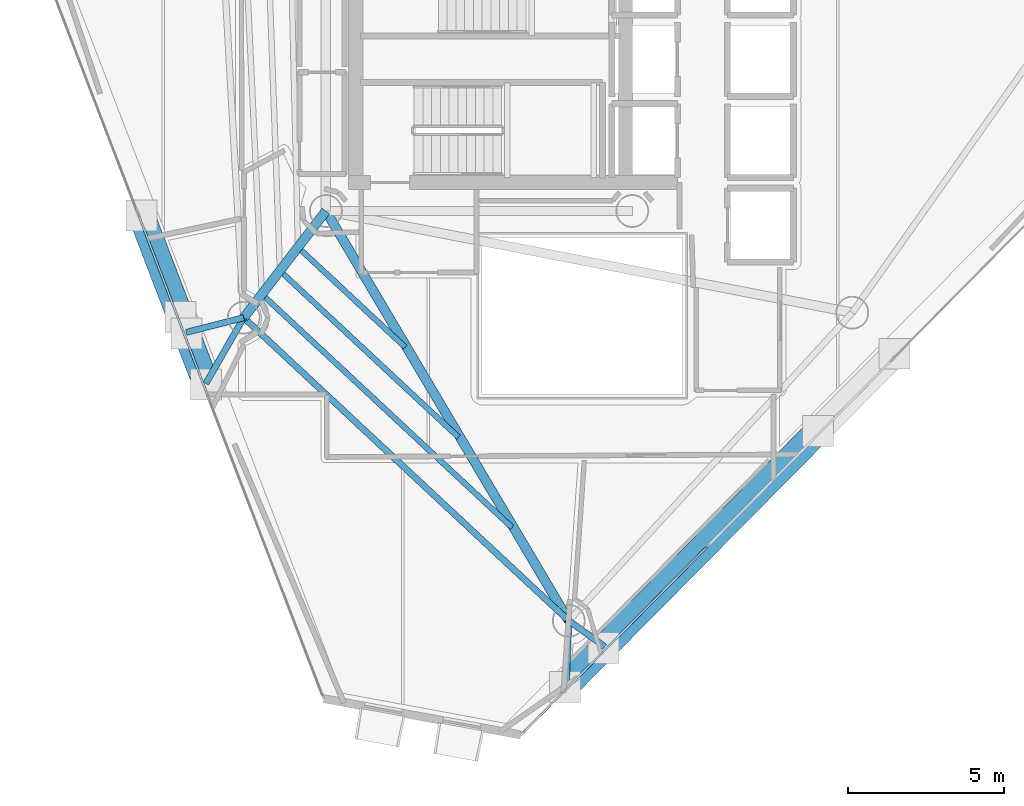
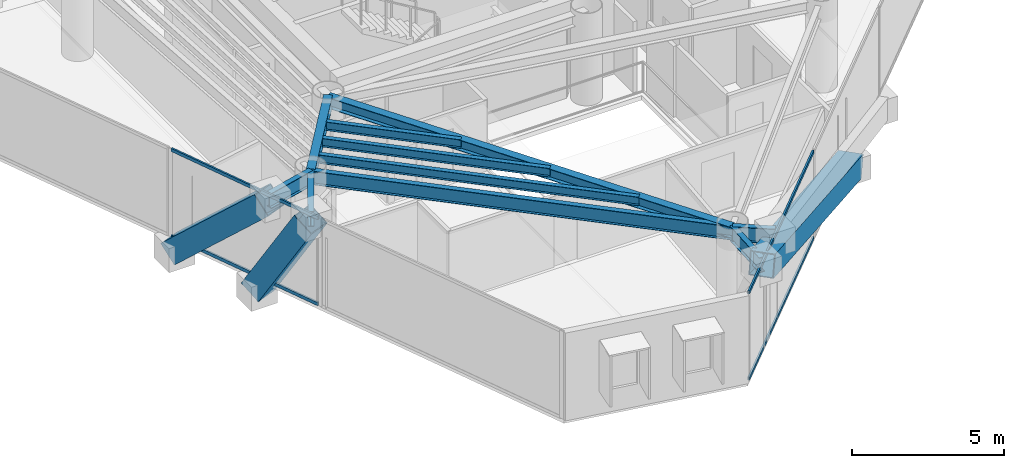
# One storey, part 3 of 20: 10 beams, 7 members, 2 elements without a shape of their own.
"""IFC4 building model written with IfcOpenShell, lengths in metres."""

from ifc_helpers import new_model, si_unit, direction, frame, origin, origin_2d, place, context, subcontext, project, spatial, hollow_rectangle, i_section, extrude, material, layer, layer_set, material_profile, profile_set, type_object, element, aggregate, save


model = new_model("IFC4")

# Units and contexts
model_context = context("Model", 3, precision=1e-05, world=origin(), true_north=direction((0.0, 1.0)))
body_context = subcontext(model_context, "Body", "Model", "MODEL_VIEW")
ifc_project = project(units=[si_unit("LENGTHUNIT", "METRE"), si_unit("AREAUNIT", "SQUARE_METRE"), si_unit("VOLUMEUNIT", "CUBIC_METRE"), si_unit("PLANEANGLEUNIT", "RADIAN"), si_unit("MASSUNIT", "GRAM", prefix="KILO")], contexts=[model_context])

# Site, building, storey
site_placement = place(None, origin())
site = spatial("IfcSite", under=ifc_project, at=site_placement, CompositionType="ELEMENT")
building_placement = place(site_placement, origin())
building = spatial("IfcBuilding", under=site, at=building_placement, Name="Qianvela Tower", CompositionType="ELEMENT")
storey_placement = place(building_placement, frame((0.0, 0.0, 239.0)))
storey = spatial("IfcBuildingStorey", under=building, at=storey_placement, Name="L61", CompositionType="ELEMENT", Elevation=239.0)

# Beams
ifc_material_1 = material(Name="Steel Q355B", Category="steel")
ifc_material_profile_1 = material_profile(ifc_material_1, i_section(OverallWidth=0.300048828125, OverallDepth=0.43994140625, WebThickness=0.010986328125, FlangeThickness=0.01806640625, at=origin_2d()), Name="HM440x300x11x18")
ifc_profile_set_1 = profile_set([ifc_material_profile_1], Name="Steel Q355B")
beam_type_1 = type_object("IfcBeamType", Name="BM-HM440-COLL", PredefinedType="BEAM", material=ifc_profile_set_1)
beam_1_placement = place(storey_placement, frame((28.60009765625, 23.85009765625, 3.298095703125), z_axis=(-0.610107831638, -0.792318391667, 0.0), x_axis=(0.792318391667, -0.610107831638, 0.0)))
element("IfcBeam", 1, at=beam_1_placement, inside=storey, type_object=beam_type_1, Name="L61 Radial Primary Floor Girder 4", PredefinedType="BEAM", context=body_context, shape_type="SweptSolid", body=[
    extrude(i_section(OverallWidth=0.300048828125, OverallDepth=0.43994140625, WebThickness=0.010986328125, FlangeThickness=0.01806640625, at=origin_2d()), origin(), (0.0, 0.0, 1.0), 4.3076171875),
])
beam_2_placement = place(storey_placement, frame((28.60009765625, 23.85009765625, 3.298095703125), z_axis=(0.509851140096, -0.860262643001, 0.0), x_axis=(0.860262643001, 0.509851140096, 0.0)))
element("IfcBeam", 2, at=beam_2_placement, inside=storey, type_object=beam_type_1, Name="L61 Radial Primary Floor Girder 5", PredefinedType="BEAM", context=body_context, shape_type="SweptSolid", body=[
    extrude(i_section(OverallWidth=0.300048828125, OverallDepth=0.43994140625, WebThickness=0.010986328125, FlangeThickness=0.01806640625, at=origin_2d()), origin(), (0.0, 0.0, 1.0), 15.2373046875),
])
ifc_material_2 = material(Name="Steel Q355B", Category="steel")
ifc_material_profile_2 = material_profile(ifc_material_2, i_section(OverallWidth=0.175048828125, OverallDepth=0.35009765625, WebThickness=0.007080078125, FlangeThickness=0.010986328125, at=origin_2d()), Name="HN350x175x7x11")
ifc_profile_set_2 = profile_set([ifc_material_profile_2], Name="Steel Q355B")
beam_type_2 = type_object("IfcBeamType", Name="BM-HN350-JOIST", PredefinedType="JOIST", material=ifc_profile_set_2)
beam_3_placement = place(storey_placement, frame((27.813232421875, 22.590087890625, 3.343017578125), z_axis=(0.731376968526, -0.681973408506, 0.0), x_axis=(0.681973408506, 0.731376968526, 0.0)))
element("IfcBeam", 3, at=beam_3_placement, inside=storey, type_object=beam_type_2, Name="L61 Secondary Composite Floor Joist 4.1", PredefinedType="JOIST", context=body_context, shape_type="SweptSolid", body=[
    extrude(i_section(OverallWidth=0.175048828125, OverallDepth=0.35009765625, WebThickness=0.007080078125, FlangeThickness=0.010986328125, at=origin_2d()), origin(), (0.0, 0.0, 1.0), 4.54150390625),
])
beam_4_placement = place(storey_placement, frame((27.235107421875, 21.839111328125, 3.343017578125), z_axis=(0.731379132366, -0.681971087906, 0.0), x_axis=(0.681971087906, 0.731379132366, 0.0)))
element("IfcBeam", 4, at=beam_4_placement, inside=storey, type_object=beam_type_2, Name="L61 Secondary Composite Floor Joist 4.2", PredefinedType="JOIST", context=body_context, shape_type="SweptSolid", body=[
    extrude(i_section(OverallWidth=0.175048828125, OverallDepth=0.35009765625, WebThickness=0.007080078125, FlangeThickness=0.010986328125, at=origin_2d()), origin(), (0.0, 0.0, 1.0), 7.6689453125),
])
beam_5_placement = place(storey_placement, frame((26.656982421875, 21.08837890625, 3.343017578125), z_axis=(0.731358246127, -0.681993486641, 0.0), x_axis=(0.681993486641, 0.731358246127, 0.0)))
element("IfcBeam", 5, at=beam_5_placement, inside=storey, type_object=beam_type_2, Name="L61 Secondary Composite Floor Joist 4.3", PredefinedType="JOIST", context=body_context, shape_type="SweptSolid", body=[
    extrude(i_section(OverallWidth=0.175048828125, OverallDepth=0.35009765625, WebThickness=0.007080078125, FlangeThickness=0.010986328125, at=origin_2d()), origin(), (0.0, 0.0, 1.0), 10.79638671875),
])
ifc_material_3 = material(Name="Steel Q355B", Category="steel")
ifc_material_profile_3 = material_profile(ifc_material_3, i_section(OverallWidth=0.199951171875, OverallDepth=0.550048828125, WebThickness=0.010009765625, FlangeThickness=0.01611328125, at=origin_2d()), Name="HN550x200x10x16")
ifc_profile_set_3 = profile_set([ifc_material_profile_3], Name="Steel Q355B")
beam_type_3 = type_object("IfcBeamType", Name="BM-HN550-GIRD", PredefinedType="BEAM", material=ifc_profile_set_3)
beam_6_placement = place(storey_placement, frame((25.971923828125, 20.43701171875, 3.242919921875), z_axis=(0.731363016694, -0.681988370731, 0.0), x_axis=(0.681988370731, 0.731363016694, 0.0)))
element("IfcBeam", 6, at=beam_6_placement, inside=storey, type_object=beam_type_3, Name="L61 Perimeter Ring Spandrel Girder 4", PredefinedType="BEAM", context=body_context, shape_type="SweptSolid", body=[
    extrude(i_section(OverallWidth=0.199951171875, OverallDepth=0.550048828125, WebThickness=0.010009765625, FlangeThickness=0.01611328125, at=origin_2d()), origin(), (0.0, 0.0, 1.0), 14.2158203125),
])
ifc_material_4 = material(Name="Steel Q355B", Category="steel")
ifc_material_profile_4 = material_profile(ifc_material_4, i_section(OverallWidth=0.199951171875, OverallDepth=0.60009765625, WebThickness=0.010986328125, FlangeThickness=0.01708984375, at=origin_2d()), Name="HN600x200x11x17")
ifc_profile_set_4 = profile_set([ifc_material_profile_4], Name="Steel Q355B")
beam_type_4 = type_object("IfcBeamType", Name="BM-HN600-GIRD", PredefinedType="BEAM", material=ifc_profile_set_4)
beam_7_placement = place(storey_placement, frame((25.971923828125, 20.43701171875, 3.218017578125), z_axis=(-0.968959635505, -0.247218981396, 0.0), x_axis=(0.247218981396, -0.968959635505, 0.0)))
element("IfcBeam", 7, at=beam_7_placement, inside=storey, type_object=beam_type_4, Name="L61 Mega-Brace Column Tie Bracket F2-1", PredefinedType="BEAM", context=body_context, shape_type="SweptSolid", body=[
    extrude(i_section(OverallWidth=0.199951171875, OverallDepth=0.60009765625, WebThickness=0.010986328125, FlangeThickness=0.01708984375, at=origin_2d()), origin(), (0.0, 0.0, 1.0), 1.900146484375),
])
beam_8_placement = place(storey_placement, frame((25.971923828125, 20.43701171875, 3.218017578125), z_axis=(-0.499412341904, -0.866364422604, 0.0), x_axis=(0.866364422604, -0.499412341904, 0.0)))
element("IfcBeam", 8, at=beam_8_placement, inside=storey, type_object=beam_type_4, Name="L61 Mega-Brace Column Tie Bracket F2-2", PredefinedType="BEAM", context=body_context, shape_type="SweptSolid", body=[
    extrude(i_section(OverallWidth=0.199951171875, OverallDepth=0.60009765625, WebThickness=0.010986328125, FlangeThickness=0.01708984375, at=origin_2d()), origin(), (0.0, 0.0, 1.0), 2.43115234375),
])
beam_9_placement = place(storey_placement, frame((36.368896484375, 10.741943359375, 3.218017578125), z_axis=(-0.039634557395, -0.999214242222, 0.0), x_axis=(0.999214242222, -0.039634557395, 0.0)))
element("IfcBeam", 9, at=beam_9_placement, inside=storey, type_object=beam_type_4, Name="L61 Mega-Brace Column Tie Bracket F3-1", PredefinedType="BEAM", context=body_context, shape_type="SweptSolid", body=[
    extrude(i_section(OverallWidth=0.199951171875, OverallDepth=0.60009765625, WebThickness=0.010986328125, FlangeThickness=0.01708984375, at=origin_2d()), origin(), (0.0, 0.0, 1.0), 2.075927734375),
])
beam_10_placement = place(storey_placement, frame((36.368896484375, 10.741943359375, 3.218017578125), z_axis=(0.811586608609, -0.584232125722, 0.0), x_axis=(0.584232125722, 0.811586608609, 0.0)))
element("IfcBeam", 10, at=beam_10_placement, inside=storey, type_object=beam_type_4, Name="L61 Mega-Brace Column Tie Bracket F3-2", PredefinedType="BEAM", context=body_context, shape_type="SweptSolid", body=[
    extrude(i_section(OverallWidth=0.199951171875, OverallDepth=0.60009765625, WebThickness=0.010986328125, FlangeThickness=0.01708984375, at=origin_2d()), origin(), (0.0, 0.0, 1.0), 1.41748046875),
])

# Curtain wall, members
ifc_material_5 = material(Name="Anodised Architectural Aluminium and Insulated Spandrel Panel", Category="aluminium")
ifc_layer = layer(ifc_material_5, 0.179931640625)
ifc_layer_set = layer_set([ifc_layer], Name="Anodised Architectural Aluminium and Insulated Spandrel Panel")
curtain_wall_type = type_object("IfcCurtainWallType", Name="CW-BRACEBAY", PredefinedType="USERDEFINED", material=ifc_layer_set)
curtain_wall_1_placement = place(storey_placement, origin())
curtain_wall_1 = element("IfcCurtainWall", 11, at=curtain_wall_1_placement, inside=storey, type_object=curtain_wall_type, Name="L61 CW-BRACEBAY Curtain Wall 04B", ObjectType="CURTAIN_WALL_SYSTEM", PredefinedType="USERDEFINED")
ifc_material_6 = material(Name="Anodised Architectural Aluminium 6063-T6", Category="aluminium")
ifc_material_profile_5 = material_profile(ifc_material_6, hollow_rectangle(XDim=0.06494140625, YDim=0.1298828125, WallThickness=0.00439453125, at=origin_2d()), Name="ALU-TRAN-65x130")
ifc_profile_set_5 = profile_set([ifc_material_profile_5], Name="Anodised Architectural Aluminium 6063-T6")
member_type_1 = type_object("IfcMemberType", Name="CW-BRACEBAY-TRAN", PredefinedType="USERDEFINED", material=ifc_profile_set_5)
member_1_placement = place(storey_placement, frame((22.604248046875, 23.728515625, 0.032470703125), z_axis=(0.357738594915, -0.933821769776, 0.0), x_axis=(0.933821769776, 0.357738594915, 0.0)))
member_1 = element("IfcMember", 12, at=member_1_placement, type_object=member_type_1, Name="CW-9 transom 1.1", ObjectType="TRANSOM", PredefinedType="USERDEFINED", context=body_context, shape_type="SweptSolid", body=[
    extrude(hollow_rectangle(XDim=0.06494140625, YDim=0.1298828125, WallThickness=0.00439453125, at=origin_2d()), origin(), (0.0, 0.0, 1.0), 6.2001953125),
])
member_2_placement = place(storey_placement, frame((22.604248046875, 23.728515625, 3.487548828125), z_axis=(0.357738594915, -0.933821769776, 0.0), x_axis=(0.933821769776, 0.357738594915, 0.0)))
member_2 = element("IfcMember", 13, at=member_2_placement, type_object=member_type_1, Name="CW-9 transom 1.2", ObjectType="TRANSOM", PredefinedType="USERDEFINED", context=body_context, shape_type="SweptSolid", body=[
    extrude(hollow_rectangle(XDim=0.06494140625, YDim=0.1298828125, WallThickness=0.00439453125, at=origin_2d()), origin(), (0.0, 0.0, 1.0), 6.2001953125),
])
aggregate(curtain_wall_1, [member_1, member_2])

curtain_wall_2_placement = place(storey_placement, origin())
curtain_wall_2 = element("IfcCurtainWall", 14, at=curtain_wall_2_placement, inside=storey, type_object=curtain_wall_type, Name="L61 CW-BRACEBAY Curtain Wall 06A", ObjectType="CURTAIN_WALL_SYSTEM", PredefinedType="USERDEFINED")
member_3_placement = place(storey_placement, frame((34.91650390625, 7.16845703125, 0.032470703125), z_axis=(0.703233275046, 0.710959183686, 0.0), x_axis=(-0.710959183686, 0.703233275046, 0.0)))
member_3 = element("IfcMember", 15, at=member_3_placement, type_object=member_type_1, Name="CW-9 transom 1.1", ObjectType="TRANSOM", PredefinedType="USERDEFINED", context=body_context, shape_type="SweptSolid", body=[
    extrude(hollow_rectangle(XDim=0.06494140625, YDim=0.1298828125, WallThickness=0.00439453125, at=origin_2d()), origin(), (0.0, 0.0, 1.0), 8.342529296875),
])
member_4_placement = place(storey_placement, frame((34.91650390625, 7.16845703125, 3.487548828125), z_axis=(0.703233275046, 0.710959183686, 0.0), x_axis=(-0.710959183686, 0.703233275046, 0.0)))
member_4 = element("IfcMember", 16, at=member_4_placement, type_object=member_type_1, Name="CW-9 transom 1.2", ObjectType="TRANSOM", PredefinedType="USERDEFINED", context=body_context, shape_type="SweptSolid", body=[
    extrude(hollow_rectangle(XDim=0.06494140625, YDim=0.1298828125, WallThickness=0.00439453125, at=origin_2d()), origin(), (0.0, 0.0, 1.0), 8.342529296875),
])
aggregate(curtain_wall_2, [member_3, member_4])

# Members
ifc_material_7 = material(Name="Steel Q420GJC", Category="steel")
ifc_material_profile_6 = material_profile(ifc_material_7, hollow_rectangle(XDim=0.85009765625, YDim=0.85009765625, WallThickness=0.031982421875, at=origin_2d()), Name="MBOX-850x850x32")
ifc_profile_set_6 = profile_set([ifc_material_profile_6], Name="Steel Q420GJC")
member_type_2 = type_object("IfcMemberType", Name="MBR-MBRACE-850", PredefinedType="BRACE", material=ifc_profile_set_6)
member_5_placement = place(storey_placement, frame((22.71240234375, 23.670166015625, -0.48193359375), z_axis=(0.261545124476, -0.682763322362, 0.682223125891), x_axis=(0.933828747105, 0.357720381135, 0.0)))
element("IfcMember", 17, at=member_5_placement, inside=storey, type_object=member_type_2, Name="L61 Tier 10 Exterior Mega-Brace F2A", PredefinedType="BRACE", context=body_context, shape_type="SweptSolid", body=[
    extrude(hollow_rectangle(XDim=0.85009765625, YDim=0.85009765625, WallThickness=0.031982421875, at=origin_2d()), origin(), (0.0, 0.0, 1.0), 5.42333984375),
])
member_6_placement = place(storey_placement, frame((23.956298828125, 20.423095703125, -0.48193359375), z_axis=(0.185300798385, -0.483712410041, 0.855386414722), x_axis=(0.933825000786, 0.357730160745, 0.0)))
element("IfcMember", 18, at=member_6_placement, inside=storey, type_object=member_type_2, Name="L61 Tier 10 Exterior Mega-Brace F2B", PredefinedType="BRACE", context=body_context, shape_type="SweptSolid", body=[
    extrude(hollow_rectangle(XDim=0.85009765625, YDim=0.85009765625, WallThickness=0.031982421875, at=origin_2d()), origin(), (0.0, 0.0, 1.0), 4.325439453125),
])
member_7_placement = place(storey_placement, frame((44.30078125, 16.769775390625, -0.48193359375), z_axis=(-0.668870210543, -0.676205654271, 0.308801804691), x_axis=(0.710952453902, -0.703240078701, 0.0)))
element("IfcMember", 19, at=member_7_placement, inside=storey, type_object=member_type_2, Name="L61 Tier 10 Exterior Mega-Brace F3A", PredefinedType="BRACE", context=body_context, shape_type="SweptSolid", body=[
    extrude(hollow_rectangle(XDim=0.85009765625, YDim=0.85009765625, WallThickness=0.031982421875, at=origin_2d()), origin(), (0.0, 0.0, 1.0), 11.981689453125),
])

save(model, "model.ifc")
